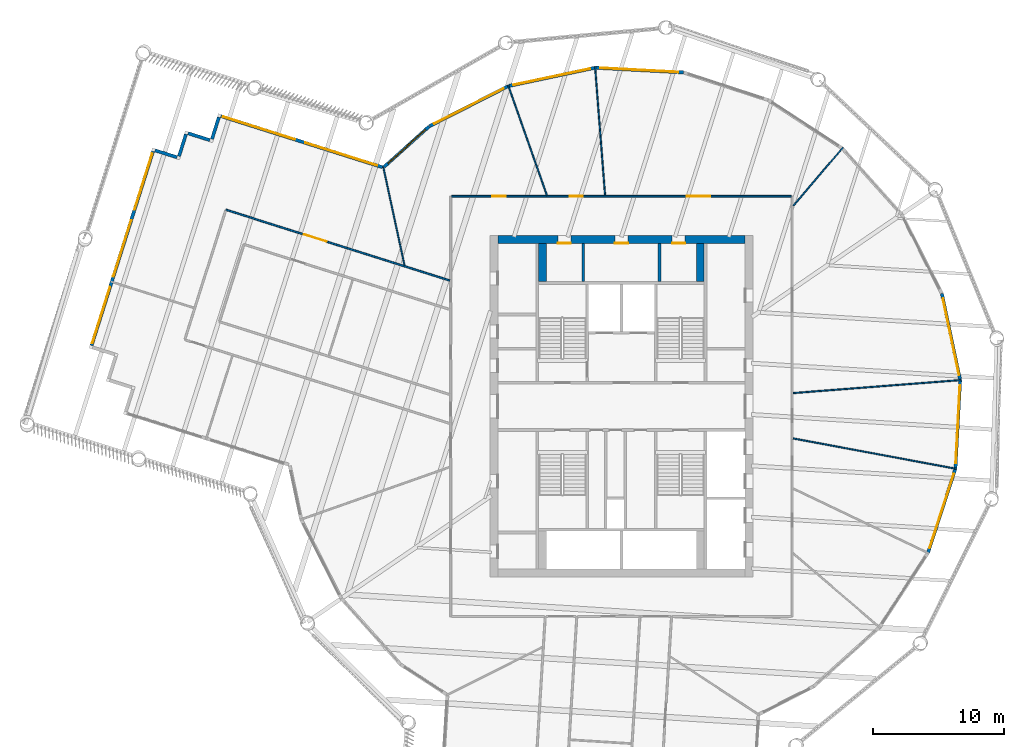
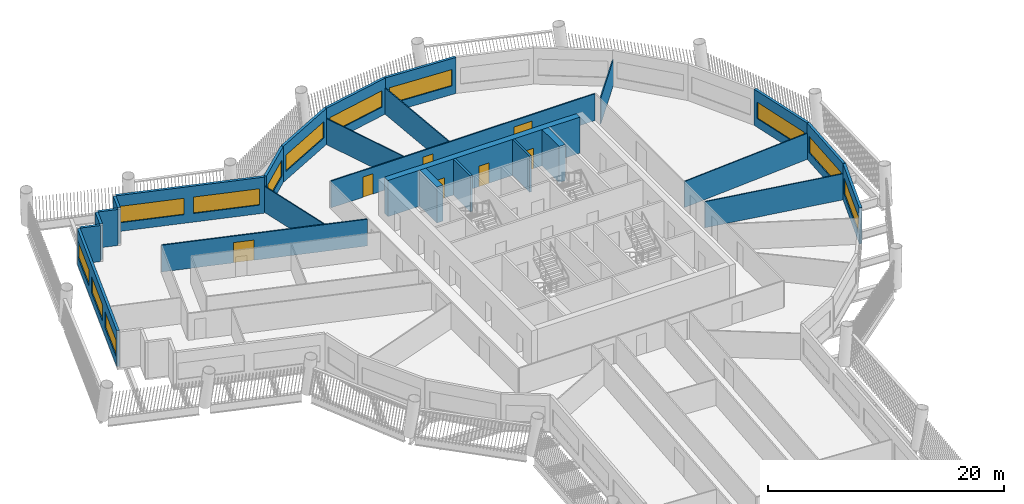
# One storey, part 6 of 15: 26 walls, 12 windows, 7 doors, 19 openings.
"""IFC4 building model written with IfcOpenShell, lengths in metres."""

from ifc_helpers import new_model, si_unit, direction, frame, frame_2d, origin, place, context, subcontext, project, spatial, rectangle, extrude, material, layer, layer_set, type_object, element, fill, save


model = new_model("IFC4")

# Units and contexts
model_context = context("Model", 3, precision=1e-05, world=origin(), true_north=direction((0.0, 1.0)))
body_context = subcontext(model_context, "Body", "Model", "MODEL_VIEW")
ifc_project = project(units=[si_unit("LENGTHUNIT", "METRE"), si_unit("AREAUNIT", "SQUARE_METRE"), si_unit("VOLUMEUNIT", "CUBIC_METRE"), si_unit("PLANEANGLEUNIT", "RADIAN"), si_unit("MASSUNIT", "GRAM", prefix="KILO")], contexts=[model_context])

# Site, building, storey
site_placement = place(None, origin())
site = spatial("IfcSite", under=ifc_project, at=site_placement, CompositionType="ELEMENT")
building_placement = place(site_placement, origin())
building = spatial("IfcBuilding", under=site, at=building_placement, Name="Tarsis Ring Headquarters", CompositionType="ELEMENT")
storey_placement = place(building_placement, frame((0.0, 0.0, 212.10009765625)))
storey = spatial("IfcBuildingStorey", under=building, at=storey_placement, Name="L49", CompositionType="ELEMENT", Elevation=212.10009765625)

# Walls
ifc_material_1 = material(Name="Blockwork", Category="masonry")
ifc_layer_1 = layer(ifc_material_1, 0.199951171875)
ifc_layer_set_1 = layer_set([ifc_layer_1], Name="Core blockwork wall 200")
wall_type_1 = type_object("IfcWallType", Name="Core blockwork wall 200", PredefinedType="PARTITIONING", material=ifc_layer_set_1)
for number, where, z_axis, x_axis, name in (
    (1, (-2.89990234375, 9.5, 0.0), (0.0, 0.0, 1.0), (0.0, 1.0, 0.0), "Core partition ND1"),
    (2, (2.89990234375, 9.5, 0.0), (0.0, 0.0, 1.0), (0.0, 1.0, 0.0), "Core partition ND3"),
):
    element("IfcWall", number, at=place(storey_placement, frame(where, z_axis=z_axis, x_axis=x_axis)), inside=storey, type_object=wall_type_1, Name=name, PredefinedType="PARTITIONING", context=body_context, shape_type="SweptSolid", body=[
        extrude(rectangle(XDim=2.89990234375, YDim=0.199951171875, at=frame_2d((1.449951171875, 0.0))), origin(), (0.0, 0.0, 1.0), 3.739990234375),
    ])

# Wall, openings, doors
ifc_material_2 = material(Name="Concrete C50/60", Category="concrete")
ifc_layer_2 = layer(ifc_material_2, 0.60009765625)
ifc_layer_set_2 = layer_set([ifc_layer_2], Name="Core wall 600 C50/60")
wall_type_2 = type_object("IfcWallType", Name="Core wall 600 C50/60", PredefinedType="SHEAR", material=ifc_layer_set_2)
wall_1_placement = place(storey_placement, frame((-9.39990234375, 12.699951171875, 0.0), z_axis=(0.0, 0.0, 1.0), x_axis=(1.0, 0.0, 0.0)))
wall_1 = element("IfcWall", 3, at=wall_1_placement, inside=storey, type_object=wall_type_2, Name="Core wall ON", PredefinedType="SHEAR", context=body_context, shape_type="SweptSolid", body=[
    extrude(rectangle(XDim=18.7998046875, YDim=0.60009765625, at=frame_2d((9.39990234375, 0.0))), origin(), (0.0, 0.0, 1.0), 3.739990234375),
])
opening_1_placement = place(wall_1_placement, frame((4.550048828125, 0.0, 0.0)))
opening_1 = element("IfcOpeningElement", 4, at=opening_1_placement, cuts=wall_1, Name="Opening L49-C14", PredefinedType="OPENING", context=body_context, shape_type="SweptSolid", body=[
    extrude(rectangle(XDim=1.0, YDim=2.10009765625, at=frame_2d((0.5, 1.050048828125))), frame((0.0, 0.31005859375, 0.0), z_axis=(0.0, -1.0, 0.0), x_axis=(1.0, 0.0, 0.0)), (0.0, 0.0, 1.0), 0.6201171875),
])
opening_2_placement = place(wall_1_placement, frame((8.89990234375, 0.0, 0.0)))
opening_2 = element("IfcOpeningElement", 5, at=opening_2_placement, cuts=wall_1, Name="Opening L49-C15", PredefinedType="OPENING", context=body_context, shape_type="SweptSolid", body=[
    extrude(rectangle(XDim=1.0, YDim=2.10009765625, at=frame_2d((0.5, 1.050048828125))), frame((0.0, 0.31005859375, 0.0), z_axis=(0.0, -1.0, 0.0), x_axis=(1.0, 0.0, 0.0)), (0.0, 0.0, 1.0), 0.6201171875),
])
opening_3_placement = place(wall_1_placement, frame((13.25, 0.0, 0.0)))
opening_3 = element("IfcOpeningElement", 6, at=opening_3_placement, cuts=wall_1, Name="Opening L49-C16", PredefinedType="OPENING", context=body_context, shape_type="SweptSolid", body=[
    extrude(rectangle(XDim=1.0, YDim=2.10009765625, at=frame_2d((0.5, 1.050048828125))), frame((0.0, 0.31005859375, 0.0), z_axis=(0.0, -1.0, 0.0), x_axis=(1.0, 0.0, 0.0)), (0.0, 0.0, 1.0), 0.6201171875),
])
ifc_material_3 = material(Name="Steel S355", Category="steel")
door_type_1 = type_object("IfcDoorType", Name="Core room door 1000x2100", OperationType="SINGLE_SWING_LEFT", PredefinedType="DOOR", material=ifc_material_3)
door_1_placement = place(opening_1_placement, origin())
door_1 = element("IfcDoor", 7, at=door_1_placement, inside=storey, type_object=door_type_1, Name="Core room door L49", OperationType="SINGLE_SWING_LEFT", OverallHeight=2.10009765625, OverallWidth=1.0, PredefinedType="DOOR", context=body_context, shape_type="SweptSolid", body=[
    extrude(rectangle(XDim=1.0, YDim=2.10009765625, at=frame_2d((0.5, 1.050048828125))), frame((0.0, -0.25, 0.0), z_axis=(0.0, -1.0, 0.0), x_axis=(1.0, 0.0, 0.0)), (0.0, 0.0, 1.0), 0.050048828125),
])
fill(opening_1, door_1)
door_2_placement = place(opening_2_placement, origin())
door_2 = element("IfcDoor", 8, at=door_2_placement, inside=storey, type_object=door_type_1, Name="Core room door L49", OperationType="SINGLE_SWING_LEFT", OverallHeight=2.10009765625, OverallWidth=1.0, PredefinedType="DOOR", context=body_context, shape_type="SweptSolid", body=[
    extrude(rectangle(XDim=1.0, YDim=2.10009765625, at=frame_2d((0.5, 1.050048828125))), frame((0.0, -0.25, 0.0), z_axis=(0.0, -1.0, 0.0), x_axis=(1.0, 0.0, 0.0)), (0.0, 0.0, 1.0), 0.050048828125),
])
fill(opening_2, door_2)
door_3_placement = place(opening_3_placement, origin())
door_3 = element("IfcDoor", 9, at=door_3_placement, inside=storey, type_object=door_type_1, Name="Core room door L49", OperationType="SINGLE_SWING_LEFT", OverallHeight=2.10009765625, OverallWidth=1.0, PredefinedType="DOOR", context=body_context, shape_type="SweptSolid", body=[
    extrude(rectangle(XDim=1.0, YDim=2.10009765625, at=frame_2d((0.5, 1.050048828125))), frame((0.0, -0.25, 0.0), z_axis=(0.0, -1.0, 0.0), x_axis=(1.0, 0.0, 0.0)), (0.0, 0.0, 1.0), 0.050048828125),
])
fill(opening_3, door_3)

# Walls
ifc_material_4 = material(Name="Gypsum board on steel studs", Category="steel")
ifc_layer_3 = layer(ifc_material_4, 0.10009765625)
ifc_layer_set_3 = layer_set([ifc_layer_3], Name="FL partition 100 unrated")
wall_type_3 = type_object("IfcWallType", Name="FL partition 100 unrated", PredefinedType="PARTITIONING", material=ifc_layer_set_3)
wall_2_placement = place(storey_placement, frame((13.06982421875, 1.014892578125, 0.0), z_axis=(0.0, 0.0, 1.0), x_axis=(0.996999081914, 0.077413375214, 0.0)))
element("IfcWall", 10, at=wall_2_placement, inside=storey, type_object=wall_type_3, Name="Partition PW3", PredefinedType="PARTITIONING", context=body_context, shape_type="SweptSolid", body=[
    extrude(rectangle(XDim=12.8388671875, YDim=0.10009765625, at=frame_2d((6.41943359375, 0.0))), origin(), (0.0, 0.0, 1.0), 2.699951171875),
])
wall_3_placement = place(storey_placement, frame((13.06884765625, -2.436279296875, 0.0), z_axis=(0.0, 0.0, 1.0), x_axis=(0.983062125441, -0.183272631684, 0.0)))
element("IfcWall", 11, at=wall_3_placement, inside=storey, type_object=wall_type_3, Name="Partition PW3", PredefinedType="PARTITIONING", context=body_context, shape_type="SweptSolid", body=[
    extrude(rectangle(XDim=12.65380859375, YDim=0.10009765625, at=frame_2d((6.326904296875, 0.0))), origin(), (0.0, 0.0, 1.0), 2.699951171875),
])
wall_4_placement = place(storey_placement, frame((-2.0087890625, 25.8701171875, 0.0), z_axis=(0.0, 0.0, 1.0), x_axis=(0.077416307821, -0.996998854204, 0.0)))
element("IfcWall", 12, at=wall_4_placement, inside=storey, type_object=wall_type_3, Name="Partition PW3", PredefinedType="PARTITIONING", context=body_context, shape_type="SweptSolid", body=[
    extrude(rectangle(XDim=9.829833984375, YDim=0.10009765625, at=frame_2d((4.9150390625, 0.0))), origin(), (0.0, 0.0, 1.0), 2.699951171875),
])
wall_5_placement = place(storey_placement, frame((-8.635986328125, 24.468505859375, 0.0), z_axis=(0.0, 0.0, 1.0), x_axis=(0.332834465647, -0.942985269491, 0.0)))
element("IfcWall", 13, at=wall_5_placement, inside=storey, type_object=wall_type_3, Name="Partition PW3", PredefinedType="PARTITIONING", context=body_context, shape_type="SweptSolid", body=[
    extrude(rectangle(XDim=8.900634765625, YDim=0.10009765625, at=frame_2d((4.4501953125, 0.0))), origin(), (0.0, 0.0, 1.0), 2.699951171875),
])
wall_6_placement = place(storey_placement, frame((-18.142333984375, 18.2490234375, 0.0), z_axis=(0.0, 0.0, 1.0), x_axis=(0.211146950393, -0.97745432903, 0.0)))
element("IfcWall", 14, at=wall_6_placement, inside=storey, type_object=wall_type_3, Name="Partition PW3", PredefinedType="PARTITIONING", context=body_context, shape_type="SweptSolid", body=[
    extrude(rectangle(XDim=7.666015625, YDim=0.10009765625, at=frame_2d((3.8330078125, 0.0))), origin(), (0.0, 0.0, 1.0), 2.699951171875),
])
wall_7_placement = place(storey_placement, frame((13.091064453125, 15.295166015625, 0.0), z_axis=(0.0, 0.0, 1.0), x_axis=(0.650238008441, 0.759730565647, 0.0)))
element("IfcWall", 15, at=wall_7_placement, inside=storey, type_object=wall_type_3, Name="Partition PW3", PredefinedType="PARTITIONING", context=body_context, shape_type="SweptSolid", body=[
    extrude(rectangle(XDim=5.815185546875, YDim=0.10009765625, at=frame_2d((2.90771484375, 0.0))), origin(), (0.0, 0.0, 1.0), 2.699951171875),
])

# Wall, openings, doors
ifc_layer_4 = layer(ifc_material_4, 0.125)
ifc_layer_set_4 = layer_set([ifc_layer_4], Name="FL partition 125 EI 60 H2770")
wall_type_4 = type_object("IfcWallType", Name="FL partition 125 EI 60 H2770", PredefinedType="PARTITIONING", material=ifc_layer_set_4)
wall_8_placement = place(storey_placement, frame((-12.93994140625, 16.0, 0.0), z_axis=(0.0, 0.0, 1.0), x_axis=(1.0, 0.0, 0.0)))
wall_8 = element("IfcWall", 16, at=wall_8_placement, inside=storey, type_object=wall_type_4, Name="Partition PW1", PredefinedType="PARTITIONING", context=body_context, shape_type="SweptSolid", body=[
    extrude(rectangle(XDim=25.8798828125, YDim=0.125, at=frame_2d((12.93994140625, 0.0))), origin(), (0.0, 0.0, 1.0), 2.77001953125),
])
opening_4_placement = place(wall_8_placement, frame((3.116455078125, 0.0, 0.0)))
opening_4 = element("IfcOpeningElement", 17, at=opening_4_placement, cuts=wall_8, Name="Opening D49.03", PredefinedType="OPENING", context=body_context, shape_type="SweptSolid", body=[
    extrude(rectangle(XDim=1.0, YDim=2.10009765625, at=frame_2d((0.5, 1.050048828125))), frame((0.0, 0.072509765625, 0.0), z_axis=(0.0, -1.0, 0.0), x_axis=(1.0, 0.0, 0.0)), (0.0, 0.0, 1.0), 0.14501953125),
])
opening_5_placement = place(wall_8_placement, frame((8.995361328125, 0.0, 0.0)))
opening_5 = element("IfcOpeningElement", 18, at=opening_5_placement, cuts=wall_8, Name="Opening D49.04", PredefinedType="OPENING", context=body_context, shape_type="SweptSolid", body=[
    extrude(rectangle(XDim=1.0, YDim=2.10009765625, at=frame_2d((0.5, 1.050048828125))), frame((0.0, 0.072509765625, 0.0), z_axis=(0.0, -1.0, 0.0), x_axis=(1.0, 0.0, 0.0)), (0.0, 0.0, 1.0), 0.14501953125),
])
opening_6_placement = place(wall_8_placement, frame((17.918701171875, 0.0, 0.0)))
opening_6 = element("IfcOpeningElement", 19, at=opening_6_placement, cuts=wall_8, Name="Opening D49.05", PredefinedType="OPENING", context=body_context, shape_type="SweptSolid", body=[
    extrude(rectangle(XDim=1.800048828125, YDim=2.10009765625, at=frame_2d((0.89990234375, 1.050048828125))), frame((0.0, 0.072509765625, 0.0), z_axis=(0.0, -1.0, 0.0), x_axis=(1.0, 0.0, 0.0)), (0.0, 0.0, 1.0), 0.14501953125),
])
ifc_material_5 = material(Name="Fire-rated timber door leaf in steel frame", Category="steel")
door_type_2 = type_object("IfcDoorType", Name="FL door FD60-1000", OperationType="NOTDEFINED", PredefinedType="DOOR", material=ifc_material_5)
door_4_placement = place(opening_4_placement, origin())
door_4 = element("IfcDoor", 20, at=door_4_placement, inside=storey, type_object=door_type_2, Name="Door D49.03", OperationType="SINGLE_SWING_RIGHT", OverallHeight=2.10009765625, OverallWidth=1.0, PredefinedType="DOOR", context=body_context, shape_type="SweptSolid", body=[
    extrude(rectangle(XDim=1.0, YDim=2.10009765625, at=frame_2d((0.5, 1.050048828125))), frame((0.0, 0.02490234375, 0.0), z_axis=(0.0, -1.0, 0.0), x_axis=(1.0, 0.0, 0.0)), (0.0, 0.0, 1.0), 0.050048828125),
])
fill(opening_4, door_4)
door_5_placement = place(opening_5_placement, origin())
door_5 = element("IfcDoor", 21, at=door_5_placement, inside=storey, type_object=door_type_2, Name="Door D49.04", OperationType="SINGLE_SWING_LEFT", OverallHeight=2.10009765625, OverallWidth=1.0, PredefinedType="DOOR", context=body_context, shape_type="SweptSolid", body=[
    extrude(rectangle(XDim=1.0, YDim=2.10009765625, at=frame_2d((0.5, 1.050048828125))), frame((0.0, 0.02490234375, 0.0), z_axis=(0.0, -1.0, 0.0), x_axis=(1.0, 0.0, 0.0)), (0.0, 0.0, 1.0), 0.050048828125),
])
fill(opening_5, door_5)
door_type_3 = type_object("IfcDoorType", Name="FL door FD60-1800", OperationType="DOUBLE_DOOR_SINGLE_SWING", PredefinedType="DOOR", material=ifc_material_5)
door_6_placement = place(opening_6_placement, origin())
door_6 = element("IfcDoor", 22, at=door_6_placement, inside=storey, type_object=door_type_3, Name="Door D49.05", OperationType="DOUBLE_DOOR_SINGLE_SWING", OverallHeight=2.10009765625, OverallWidth=1.800048828125, PredefinedType="DOOR", context=body_context, shape_type="SweptSolid", body=[
    extrude(rectangle(XDim=1.800048828125, YDim=2.10009765625, at=frame_2d((0.89990234375, 1.050048828125))), frame((0.0, 0.02490234375, 0.0), z_axis=(0.0, -1.0, 0.0), x_axis=(1.0, 0.0, 0.0)), (0.0, 0.0, 1.0), 0.050048828125),
])
fill(opening_6, door_6)

# Wall, opening, door
wall_9_placement = place(storey_placement, frame((-30.125244140625, 14.976806640625, 0.0), z_axis=(0.0, 0.0, 1.0), x_axis=(0.953402980164, -0.301699780268, 0.0)))
wall_9 = element("IfcWall", 23, at=wall_9_placement, inside=storey, type_object=wall_type_4, Name="Partition PW1", PredefinedType="PARTITIONING", context=body_context, shape_type="SweptSolid", body=[
    extrude(rectangle(XDim=17.882080078125, YDim=0.125, at=frame_2d((8.94091796875, 0.0))), origin(), (0.0, 0.0, 1.0), 2.77001953125),
])
opening_7_placement = place(wall_9_placement, frame((6.24169921875, 0.0, 0.0)))
opening_7 = element("IfcOpeningElement", 24, at=opening_7_placement, cuts=wall_9, Name="Opening D49.02", PredefinedType="OPENING", context=body_context, shape_type="SweptSolid", body=[
    extrude(rectangle(XDim=1.800048828125, YDim=2.10009765625, at=frame_2d((0.89990234375, 1.050048828125))), frame((0.0, 0.072509765625, 0.0), z_axis=(0.0, -1.0, 0.0), x_axis=(1.0, 0.0, 0.0)), (0.0, 0.0, 1.0), 0.14501953125),
])
door_7_placement = place(opening_7_placement, origin())
door_7 = element("IfcDoor", 25, at=door_7_placement, inside=storey, type_object=door_type_3, Name="Door D49.02", OperationType="DOUBLE_DOOR_SINGLE_SWING", OverallHeight=2.10009765625, OverallWidth=1.800048828125, PredefinedType="DOOR", context=body_context, shape_type="SweptSolid", body=[
    extrude(rectangle(XDim=1.800048828125, YDim=2.10009765625, at=frame_2d((0.89990234375, 1.050048828125))), frame((0.0, 0.02490234375, 0.0), z_axis=(0.0, -1.0, 0.0), x_axis=(1.0, 0.0, 0.0)), (0.0, 0.0, 1.0), 0.050048828125),
])
fill(opening_7, door_7)

# Wall, opening, window
ifc_material_6 = material(Name="Terracotta clad insulated panel wall", Category="masonry")
ifc_layer_5 = layer(ifc_material_6, 0.25)
ifc_layer_set_5 = layer_set([ifc_layer_5], Name="Facade wall terracotta panel 250")
wall_type_5 = type_object("IfcWallType", Name="Facade wall terracotta panel 250", PredefinedType="STANDARD", material=ifc_layer_set_5)
wall_10_placement = place(storey_placement, frame((23.346923828125, -11.147705078125, 0.0), z_axis=(0.0, 0.0, 1.0), x_axis=(0.310009893997, 0.950733330448, 0.0)))
wall_10 = element("IfcWall", 26, at=wall_10_placement, inside=storey, type_object=wall_type_5, Name="External wall L49-20", PredefinedType="STANDARD", context=body_context, shape_type="SweptSolid", body=[
    extrude(rectangle(XDim=6.721435546875, YDim=0.25, at=frame_2d((3.36083984375, 0.0))), origin(), (0.0, 0.0, 1.0), 3.739990234375),
])
opening_8_placement = place(wall_10_placement, frame((0.3857421875, 0.0, 0.89990234375)))
opening_8 = element("IfcOpeningElement", 27, at=opening_8_placement, cuts=wall_10, Name="Opening WN07", PredefinedType="OPENING", context=body_context, shape_type="SweptSolid", body=[
    extrude(rectangle(XDim=5.949951171875, YDim=1.699951171875, at=frame_2d((2.97509765625, 0.85009765625))), frame((0.0, 0.135009765625, 0.0), z_axis=(0.0, -1.0, 0.0), x_axis=(1.0, 0.0, 0.0)), (0.0, 0.0, 1.0), 0.27001953125),
])
ifc_material_7 = material(Name="Aluminium framed double glazing", Category="aluminium")
window_type_1 = type_object("IfcWindowType", Name="Facade window 5950 x 1700", PartitioningType="SINGLE_PANEL", PredefinedType="WINDOW", material=ifc_material_7)
window_1_placement = place(opening_8_placement, origin())
window_1 = element("IfcWindow", 28, at=window_1_placement, inside=storey, type_object=window_type_1, Name="Window L49-20.1", OverallHeight=1.699951171875, OverallWidth=5.949951171875, PartitioningType="SINGLE_PANEL", PredefinedType="WINDOW", context=body_context, shape_type="SweptSolid", body=[
    extrude(rectangle(XDim=5.949951171875, YDim=1.699951171875, at=frame_2d((2.97509765625, 0.85009765625))), frame((0.0, 0.030029296875, 0.0), z_axis=(0.0, -1.0, 0.0), x_axis=(1.0, 0.0, 0.0)), (0.0, 0.0, 1.0), 0.06005859375),
])
fill(opening_8, window_1)

wall_11_placement = place(storey_placement, frame((25.4365234375, -4.725341796875, 0.0), z_axis=(0.0, 0.0, 1.0), x_axis=(0.053393827017, 0.998573532213, 0.0)))
wall_11 = element("IfcWall", 29, at=wall_11_placement, inside=storey, type_object=wall_type_5, Name="External wall L49-21", PredefinedType="STANDARD", context=body_context, shape_type="SweptSolid", body=[
    extrude(rectangle(XDim=6.721435546875, YDim=0.25, at=frame_2d((3.36083984375, 0.0))), origin(), (0.0, 0.0, 1.0), 3.739990234375),
])
opening_9_placement = place(wall_11_placement, frame((0.3857421875, 0.0, 0.89990234375)))
opening_9 = element("IfcOpeningElement", 30, at=opening_9_placement, cuts=wall_11, Name="Opening WN07", PredefinedType="OPENING", context=body_context, shape_type="SweptSolid", body=[
    extrude(rectangle(XDim=5.949951171875, YDim=1.699951171875, at=frame_2d((2.97509765625, 0.85009765625))), frame((0.0, 0.135009765625, 0.0), z_axis=(0.0, -1.0, 0.0), x_axis=(1.0, 0.0, 0.0)), (0.0, 0.0, 1.0), 0.27001953125),
])
window_2_placement = place(opening_9_placement, origin())
window_2 = element("IfcWindow", 31, at=window_2_placement, inside=storey, type_object=window_type_1, Name="Window L49-21.1", OverallHeight=1.699951171875, OverallWidth=5.949951171875, PartitioningType="SINGLE_PANEL", PredefinedType="WINDOW", context=body_context, shape_type="SweptSolid", body=[
    extrude(rectangle(XDim=5.949951171875, YDim=1.699951171875, at=frame_2d((2.97509765625, 0.85009765625))), frame((0.0, 0.030029296875, 0.0), z_axis=(0.0, -1.0, 0.0), x_axis=(1.0, 0.0, 0.0)), (0.0, 0.0, 1.0), 0.06005859375),
])
fill(opening_9, window_2)

wall_12_placement = place(storey_placement, frame((25.79296875, 2.01904296875, 0.0), z_axis=(0.0, 0.0, 1.0), x_axis=(-0.206889058353, 0.978364409376, 0.0)))
wall_12 = element("IfcWall", 32, at=wall_12_placement, inside=storey, type_object=wall_type_5, Name="External wall L49-22", PredefinedType="STANDARD", context=body_context, shape_type="SweptSolid", body=[
    extrude(rectangle(XDim=6.7216796875, YDim=0.25, at=frame_2d((3.36083984375, 0.0))), origin(), (0.0, 0.0, 1.0), 3.739990234375),
])
opening_10_placement = place(wall_12_placement, frame((0.3857421875, 0.0, 0.89990234375)))
opening_10 = element("IfcOpeningElement", 33, at=opening_10_placement, cuts=wall_12, Name="Opening WN07", PredefinedType="OPENING", context=body_context, shape_type="SweptSolid", body=[
    extrude(rectangle(XDim=5.949951171875, YDim=1.699951171875, at=frame_2d((2.97509765625, 0.85009765625))), frame((0.0, 0.135009765625, 0.0), z_axis=(0.0, -1.0, 0.0), x_axis=(1.0, 0.0, 0.0)), (0.0, 0.0, 1.0), 0.27001953125),
])
window_3_placement = place(opening_10_placement, origin())
window_3 = element("IfcWindow", 34, at=window_3_placement, inside=storey, type_object=window_type_1, Name="Window L49-22.1", OverallHeight=1.699951171875, OverallWidth=5.949951171875, PartitioningType="SINGLE_PANEL", PredefinedType="WINDOW", context=body_context, shape_type="SweptSolid", body=[
    extrude(rectangle(XDim=5.949951171875, YDim=1.699951171875, at=frame_2d((2.97509765625, 0.85009765625))), frame((0.0, 0.030029296875, 0.0), z_axis=(0.0, -1.0, 0.0), x_axis=(1.0, 0.0, 0.0)), (0.0, 0.0, 1.0), 0.06005859375),
])
fill(opening_10, window_3)

wall_13_placement = place(storey_placement, frame((4.725341796875, 25.4365234375, 0.0), z_axis=(0.0, 0.0, 1.0), x_axis=(-0.998573532213, 0.053393827017, 0.0)))
wall_13 = element("IfcWall", 35, at=wall_13_placement, inside=storey, type_object=wall_type_5, Name="External wall L49-27", PredefinedType="STANDARD", context=body_context, shape_type="SweptSolid", body=[
    extrude(rectangle(XDim=6.721435546875, YDim=0.25, at=frame_2d((3.36083984375, 0.0))), origin(), (0.0, 0.0, 1.0), 3.739990234375),
])
opening_11_placement = place(wall_13_placement, frame((0.3857421875, 0.0, 0.89990234375)))
opening_11 = element("IfcOpeningElement", 36, at=opening_11_placement, cuts=wall_13, Name="Opening WN07", PredefinedType="OPENING", context=body_context, shape_type="SweptSolid", body=[
    extrude(rectangle(XDim=5.949951171875, YDim=1.699951171875, at=frame_2d((2.97509765625, 0.85009765625))), frame((0.0, 0.135009765625, 0.0), z_axis=(0.0, -1.0, 0.0), x_axis=(1.0, 0.0, 0.0)), (0.0, 0.0, 1.0), 0.27001953125),
])
window_4_placement = place(opening_11_placement, origin())
window_4 = element("IfcWindow", 37, at=window_4_placement, inside=storey, type_object=window_type_1, Name="Window L49-27.1", OverallHeight=1.699951171875, OverallWidth=5.949951171875, PartitioningType="SINGLE_PANEL", PredefinedType="WINDOW", context=body_context, shape_type="SweptSolid", body=[
    extrude(rectangle(XDim=5.949951171875, YDim=1.699951171875, at=frame_2d((2.97509765625, 0.85009765625))), frame((0.0, 0.030029296875, 0.0), z_axis=(0.0, -1.0, 0.0), x_axis=(1.0, 0.0, 0.0)), (0.0, 0.0, 1.0), 0.06005859375),
])
fill(opening_11, window_4)

wall_14_placement = place(storey_placement, frame((-2.01904296875, 25.79296875, 0.0), z_axis=(0.0, 0.0, 1.0), x_axis=(-0.978364409376, -0.206889058353, 0.0)))
wall_14 = element("IfcWall", 38, at=wall_14_placement, inside=storey, type_object=wall_type_5, Name="External wall L49-28", PredefinedType="STANDARD", context=body_context, shape_type="SweptSolid", body=[
    extrude(rectangle(XDim=6.7216796875, YDim=0.25, at=frame_2d((3.36083984375, 0.0))), origin(), (0.0, 0.0, 1.0), 3.739990234375),
])
opening_12_placement = place(wall_14_placement, frame((0.3857421875, 0.0, 0.89990234375)))
opening_12 = element("IfcOpeningElement", 39, at=opening_12_placement, cuts=wall_14, Name="Opening WN07", PredefinedType="OPENING", context=body_context, shape_type="SweptSolid", body=[
    extrude(rectangle(XDim=5.949951171875, YDim=1.699951171875, at=frame_2d((2.97509765625, 0.85009765625))), frame((0.0, 0.135009765625, 0.0), z_axis=(0.0, -1.0, 0.0), x_axis=(1.0, 0.0, 0.0)), (0.0, 0.0, 1.0), 0.27001953125),
])
window_5_placement = place(opening_12_placement, origin())
window_5 = element("IfcWindow", 40, at=window_5_placement, inside=storey, type_object=window_type_1, Name="Window L49-28.1", OverallHeight=1.699951171875, OverallWidth=5.949951171875, PartitioningType="SINGLE_PANEL", PredefinedType="WINDOW", context=body_context, shape_type="SweptSolid", body=[
    extrude(rectangle(XDim=5.949951171875, YDim=1.699951171875, at=frame_2d((2.97509765625, 0.85009765625))), frame((0.0, 0.030029296875, 0.0), z_axis=(0.0, -1.0, 0.0), x_axis=(1.0, 0.0, 0.0)), (0.0, 0.0, 1.0), 0.06005859375),
])
fill(opening_12, window_5)

wall_15_placement = place(storey_placement, frame((-8.6259765625, 24.391357421875, 0.0), z_axis=(0.0, 0.0, 1.0), x_axis=(-0.891487830417, -0.453044642633, 0.0)))
wall_15 = element("IfcWall", 41, at=wall_15_placement, inside=storey, type_object=wall_type_5, Name="External wall L49-29", PredefinedType="STANDARD", context=body_context, shape_type="SweptSolid", body=[
    extrude(rectangle(XDim=6.7216796875, YDim=0.25, at=frame_2d((3.36083984375, 0.0))), origin(), (0.0, 0.0, 1.0), 3.739990234375),
])
opening_13_placement = place(wall_15_placement, frame((0.3857421875, 0.0, 0.89990234375)))
opening_13 = element("IfcOpeningElement", 42, at=opening_13_placement, cuts=wall_15, Name="Opening WN07", PredefinedType="OPENING", context=body_context, shape_type="SweptSolid", body=[
    extrude(rectangle(XDim=5.949951171875, YDim=1.699951171875, at=frame_2d((2.97509765625, 0.85009765625))), frame((0.0, 0.135009765625, 0.0), z_axis=(0.0, -1.0, 0.0), x_axis=(1.0, 0.0, 0.0)), (0.0, 0.0, 1.0), 0.27001953125),
])
window_6_placement = place(opening_13_placement, origin())
window_6 = element("IfcWindow", 43, at=window_6_placement, inside=storey, type_object=window_type_1, Name="Window L49-29.1", OverallHeight=1.699951171875, OverallWidth=5.949951171875, PartitioningType="SINGLE_PANEL", PredefinedType="WINDOW", context=body_context, shape_type="SweptSolid", body=[
    extrude(rectangle(XDim=5.949951171875, YDim=1.699951171875, at=frame_2d((2.97509765625, 0.85009765625))), frame((0.0, 0.030029296875, 0.0), z_axis=(0.0, -1.0, 0.0), x_axis=(1.0, 0.0, 0.0)), (0.0, 0.0, 1.0), 0.06005859375),
])
fill(opening_13, window_6)

wall_16_placement = place(storey_placement, frame((-14.64501953125, 21.32763671875, 0.0), z_axis=(0.0, 0.0, 1.0), x_axis=(-0.74387221862, -0.668321870333, 0.0)))
wall_16 = element("IfcWall", 44, at=wall_16_placement, inside=storey, type_object=wall_type_5, Name="External wall L49-30", PredefinedType="STANDARD", context=body_context, shape_type="SweptSolid", body=[
    extrude(rectangle(XDim=4.617919921875, YDim=0.25, at=frame_2d((2.30908203125, 0.0))), origin(), (0.0, 0.0, 1.0), 3.739990234375),
])
opening_14_placement = place(wall_16_placement, frame((0.367431640625, 0.0, 0.89990234375)))
opening_14 = element("IfcOpeningElement", 45, at=opening_14_placement, cuts=wall_16, Name="Opening WN02", PredefinedType="OPENING", context=body_context, shape_type="SweptSolid", body=[
    extrude(rectangle(XDim=3.85009765625, YDim=1.699951171875, at=frame_2d((1.925048828125, 0.85009765625))), frame((0.0, 0.135009765625, 0.0), z_axis=(0.0, -1.0, 0.0), x_axis=(1.0, 0.0, 0.0)), (0.0, 0.0, 1.0), 0.27001953125),
])
window_type_2 = type_object("IfcWindowType", Name="Facade window 3850 x 1700", PartitioningType="SINGLE_PANEL", PredefinedType="WINDOW", material=ifc_material_7)
window_7_placement = place(opening_14_placement, origin())
window_7 = element("IfcWindow", 46, at=window_7_placement, inside=storey, type_object=window_type_2, Name="Window L49-30.1", OverallHeight=1.699951171875, OverallWidth=3.85009765625, PartitioningType="SINGLE_PANEL", PredefinedType="WINDOW", context=body_context, shape_type="SweptSolid", body=[
    extrude(rectangle(XDim=3.85009765625, YDim=1.699951171875, at=frame_2d((1.925048828125, 0.85009765625))), frame((0.0, 0.030029296875, 0.0), z_axis=(0.0, -1.0, 0.0), x_axis=(1.0, 0.0, 0.0)), (0.0, 0.0, 1.0), 0.06005859375),
])
fill(opening_14, window_7)

# Wall, openings, windows
wall_17_placement = place(storey_placement, frame((-18.201171875, 18.215087890625, 0.0), z_axis=(0.0, 0.0, 1.0), x_axis=(-0.953398305449, 0.301714552461, 0.0)))
wall_17 = element("IfcWall", 47, at=wall_17_placement, inside=storey, type_object=wall_type_5, Name="External wall L49-31", PredefinedType="STANDARD", context=body_context, shape_type="SweptSolid", body=[
    extrude(rectangle(XDim=12.901611328125, YDim=0.25, at=frame_2d((6.45068359375, 0.0))), origin(), (0.0, 0.0, 1.0), 3.739990234375),
])
opening_15_placement = place(wall_17_placement, frame((0.412841796875, 0.0, 0.89990234375)))
opening_15 = element("IfcOpeningElement", 48, at=opening_15_placement, cuts=wall_17, Name="Opening WN06", PredefinedType="OPENING", context=body_context, shape_type="SweptSolid", body=[
    extrude(rectangle(XDim=5.75, YDim=1.699951171875, at=frame_2d((2.875, 0.85009765625))), frame((0.0, 0.135009765625, 0.0), z_axis=(0.0, -1.0, 0.0), x_axis=(1.0, 0.0, 0.0)), (0.0, 0.0, 1.0), 0.27001953125),
])
opening_16_placement = place(wall_17_placement, frame((6.988525390625, 0.0, 0.89990234375)))
opening_16 = element("IfcOpeningElement", 49, at=opening_16_placement, cuts=wall_17, Name="Opening WN06", PredefinedType="OPENING", context=body_context, shape_type="SweptSolid", body=[
    extrude(rectangle(XDim=5.75, YDim=1.699951171875, at=frame_2d((2.875, 0.85009765625))), frame((0.0, 0.135009765625, 0.0), z_axis=(0.0, -1.0, 0.0), x_axis=(1.0, 0.0, 0.0)), (0.0, 0.0, 1.0), 0.27001953125),
])
window_type_3 = type_object("IfcWindowType", Name="Facade window 5750 x 1700", PartitioningType="SINGLE_PANEL", PredefinedType="WINDOW", material=ifc_material_7)
window_8_placement = place(opening_15_placement, origin())
window_8 = element("IfcWindow", 50, at=window_8_placement, inside=storey, type_object=window_type_3, Name="Window L49-31.1", OverallHeight=1.699951171875, OverallWidth=5.75, PartitioningType="SINGLE_PANEL", PredefinedType="WINDOW", context=body_context, shape_type="SweptSolid", body=[
    extrude(rectangle(XDim=5.75, YDim=1.699951171875, at=frame_2d((2.875, 0.85009765625))), frame((0.0, 0.030029296875, 0.0), z_axis=(0.0, -1.0, 0.0), x_axis=(1.0, 0.0, 0.0)), (0.0, 0.0, 1.0), 0.06005859375),
])
fill(opening_15, window_8)
window_9_placement = place(opening_16_placement, origin())
window_9 = element("IfcWindow", 51, at=window_9_placement, inside=storey, type_object=window_type_3, Name="Window L49-31.2", OverallHeight=1.699951171875, OverallWidth=5.75, PartitioningType="SINGLE_PANEL", PredefinedType="WINDOW", context=body_context, shape_type="SweptSolid", body=[
    extrude(rectangle(XDim=5.75, YDim=1.699951171875, at=frame_2d((2.875, 0.85009765625))), frame((0.0, 0.030029296875, 0.0), z_axis=(0.0, -1.0, 0.0), x_axis=(1.0, 0.0, 0.0)), (0.0, 0.0, 1.0), 0.06005859375),
])
fill(opening_16, window_9)

# Walls
for number, where, z_axis, x_axis, name in (
    (52, (-30.658203125, 22.026123046875, 0.0), (0.0, 0.0, 1.0), (-0.301752230336, -0.953386381006, 0.0), "External wall L49-32"),
    (53, (-31.343017578125, 20.276123046875, 0.0), (0.0, 0.0, 1.0), (-0.953386381006, 0.301752230336, 0.0), "External wall L49-33"),
    (54, (-33.16845703125, 20.72265625, 0.0), (0.0, 0.0, 1.0), (-0.301752230336, -0.953386381006, 0.0), "External wall L49-34"),
    (55, (-33.853271484375, 18.972900390625, 0.0), (0.0, 0.0, 1.0), (-0.95342650835, 0.30162541865, 0.0), "External wall L49-35"),
):
    element("IfcWall", number, at=place(storey_placement, frame(where, z_axis=z_axis, x_axis=x_axis)), inside=storey, type_object=wall_type_5, Name=name, PredefinedType="STANDARD", context=body_context, shape_type="SweptSolid", body=[
        extrude(rectangle(XDim=1.75, YDim=0.25, at=frame_2d((0.875, 0.0))), origin(), (0.0, 0.0, 1.0), 3.739990234375),
    ])

# Wall, openings, windows
wall_18_placement = place(storey_placement, frame((-35.6787109375, 19.41943359375, 0.0), z_axis=(0.0, 0.0, 1.0), x_axis=(-0.301693668079, -0.953404914316, 0.0)))
wall_18 = element("IfcWall", 56, at=wall_18_placement, inside=storey, type_object=wall_type_5, Name="External wall L49-36", PredefinedType="STANDARD", context=body_context, shape_type="SweptSolid", body=[
    extrude(rectangle(XDim=15.5, YDim=0.25, at=frame_2d((7.75, 0.0))), origin(), (0.0, 0.0, 1.0), 3.739990234375),
])
opening_17_placement = place(wall_18_placement, frame((0.166748046875, 0.0, 0.89990234375)))
opening_17 = element("IfcOpeningElement", 57, at=opening_17_placement, cuts=wall_18, Name="Opening WN04", PredefinedType="OPENING", context=body_context, shape_type="SweptSolid", body=[
    extrude(rectangle(XDim=4.5, YDim=1.699951171875, at=frame_2d((2.25, 0.85009765625))), frame((0.0, 0.135009765625, 0.0), z_axis=(0.0, -1.0, 0.0), x_axis=(1.0, 0.0, 0.0)), (0.0, 0.0, 1.0), 0.27001953125),
])
opening_18_placement = place(wall_18_placement, frame((5.5, 0.0, 0.89990234375)))
opening_18 = element("IfcOpeningElement", 58, at=opening_18_placement, cuts=wall_18, Name="Opening WN04", PredefinedType="OPENING", context=body_context, shape_type="SweptSolid", body=[
    extrude(rectangle(XDim=4.5, YDim=1.699951171875, at=frame_2d((2.25, 0.85009765625))), frame((0.0, 0.135009765625, 0.0), z_axis=(0.0, -1.0, 0.0), x_axis=(1.0, 0.0, 0.0)), (0.0, 0.0, 1.0), 0.27001953125),
])
opening_19_placement = place(wall_18_placement, frame((10.833251953125, 0.0, 0.89990234375)))
opening_19 = element("IfcOpeningElement", 59, at=opening_19_placement, cuts=wall_18, Name="Opening WN04", PredefinedType="OPENING", context=body_context, shape_type="SweptSolid", body=[
    extrude(rectangle(XDim=4.5, YDim=1.699951171875, at=frame_2d((2.25, 0.85009765625))), frame((0.0, 0.135009765625, 0.0), z_axis=(0.0, -1.0, 0.0), x_axis=(1.0, 0.0, 0.0)), (0.0, 0.0, 1.0), 0.27001953125),
])
window_type_4 = type_object("IfcWindowType", Name="Facade window 4500 x 1700", PartitioningType="SINGLE_PANEL", PredefinedType="WINDOW", material=ifc_material_7)
window_10_placement = place(opening_17_placement, origin())
window_10 = element("IfcWindow", 60, at=window_10_placement, inside=storey, type_object=window_type_4, Name="Window L49-36.1", OverallHeight=1.699951171875, OverallWidth=4.5, PartitioningType="SINGLE_PANEL", PredefinedType="WINDOW", context=body_context, shape_type="SweptSolid", body=[
    extrude(rectangle(XDim=4.5, YDim=1.699951171875, at=frame_2d((2.25, 0.85009765625))), frame((0.0, 0.030029296875, 0.0), z_axis=(0.0, -1.0, 0.0), x_axis=(1.0, 0.0, 0.0)), (0.0, 0.0, 1.0), 0.06005859375),
])
fill(opening_17, window_10)
window_11_placement = place(opening_18_placement, origin())
window_11 = element("IfcWindow", 61, at=window_11_placement, inside=storey, type_object=window_type_4, Name="Window L49-36.2", OverallHeight=1.699951171875, OverallWidth=4.5, PartitioningType="SINGLE_PANEL", PredefinedType="WINDOW", context=body_context, shape_type="SweptSolid", body=[
    extrude(rectangle(XDim=4.5, YDim=1.699951171875, at=frame_2d((2.25, 0.85009765625))), frame((0.0, 0.030029296875, 0.0), z_axis=(0.0, -1.0, 0.0), x_axis=(1.0, 0.0, 0.0)), (0.0, 0.0, 1.0), 0.06005859375),
])
fill(opening_18, window_11)
window_12_placement = place(opening_19_placement, origin())
window_12 = element("IfcWindow", 62, at=window_12_placement, inside=storey, type_object=window_type_4, Name="Window L49-36.3", OverallHeight=1.699951171875, OverallWidth=4.5, PartitioningType="SINGLE_PANEL", PredefinedType="WINDOW", context=body_context, shape_type="SweptSolid", body=[
    extrude(rectangle(XDim=4.5, YDim=1.699951171875, at=frame_2d((2.25, 0.85009765625))), frame((0.0, 0.030029296875, 0.0), z_axis=(0.0, -1.0, 0.0), x_axis=(1.0, 0.0, 0.0)), (0.0, 0.0, 1.0), 0.06005859375),
])
fill(opening_19, window_12)

# Walls
ifc_material_8 = material(Name="Concrete C32/40", Category="concrete")
ifc_layer_6 = layer(ifc_material_8, 0.60009765625)
ifc_layer_set_6 = layer_set([ifc_layer_6], Name="Shaft end wall 600 C32/40")
wall_type_6 = type_object("IfcWallType", Name="Shaft end wall 600 C32/40", PredefinedType="SOLIDWALL", material=ifc_layer_set_6)
for number, where, z_axis, x_axis, name in (
    (63, (-6.0, 9.5, 0.0), (0.0, 0.0, 1.0), (0.0, 1.0, 0.0), "Core shaft wall NNE1"),
    (64, (6.0, 9.5, 0.0), (0.0, 0.0, 1.0), (0.0, 1.0, 0.0), "Core shaft wall NNE2"),
):
    element("IfcWall", number, at=place(storey_placement, frame(where, z_axis=z_axis, x_axis=x_axis)), inside=storey, type_object=wall_type_6, Name=name, PredefinedType="SOLIDWALL", context=body_context, shape_type="SweptSolid", body=[
        extrude(rectangle(XDim=2.89990234375, YDim=0.60009765625, at=frame_2d((1.449951171875, 0.0))), origin(), (0.0, 0.0, 1.0), 3.739990234375),
    ])

save(model, "model.ifc")
